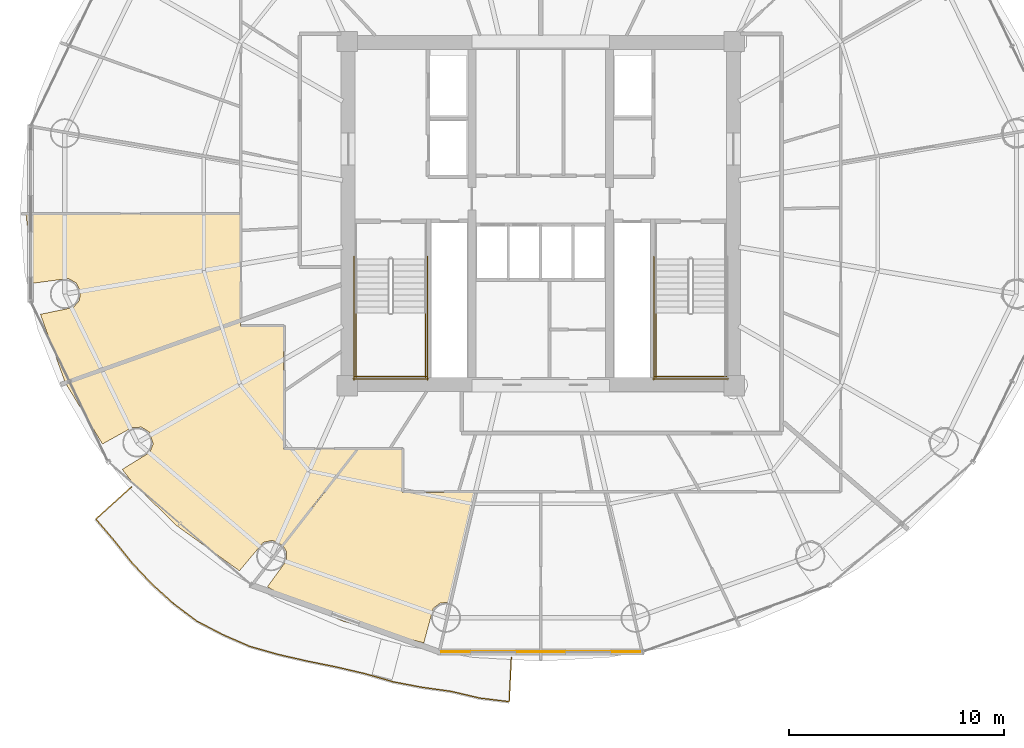
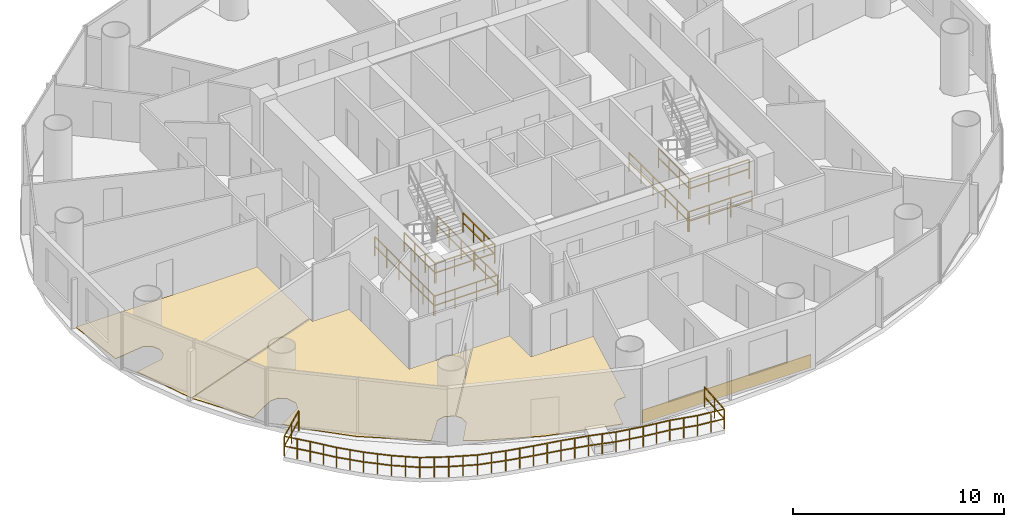
# One storey, part 25 of 27: 11 railings, 4 coverings.
"""IFC4 building model written with IfcOpenShell, lengths in metres."""

from ifc_helpers import new_model, si_unit, direction, frame, origin, origin_2d, place, context, subcontext, project, spatial, polyline, rectangle, outline, extrude, source, transform, mapped, material, layer, layer_set, type_object, element, save


model = new_model("IFC4")

# Units and contexts
model_context = context("Model", 3, precision=1e-05, world=origin(), true_north=direction((-0.2419218956, 0.970295726276)))
body_context = subcontext(model_context, "Body", "Model", "MODEL_VIEW")
ifc_project = project(units=[si_unit("LENGTHUNIT", "METRE"), si_unit("AREAUNIT", "SQUARE_METRE"), si_unit("VOLUMEUNIT", "CUBIC_METRE"), si_unit("PLANEANGLEUNIT", "RADIAN"), si_unit("MASSUNIT", "GRAM", prefix="KILO")], contexts=[model_context])

# Site, building, storey
site_placement = place(None, origin())
site = spatial("IfcSite", under=ifc_project, at=site_placement, CompositionType="ELEMENT")
building_placement = place(site_placement, origin())
building = spatial("IfcBuilding", under=site, at=building_placement, Name="Cobrevalo Terracotta Tower", CompositionType="ELEMENT")
storey_placement = place(building_placement, frame((0.0, 0.0, 153.39990234375)))
storey = spatial("IfcBuildingStorey", under=building, at=storey_placement, Name="L40", CompositionType="ELEMENT", Elevation=153.39990234375)

# Railing
ifc_material_1 = material(Name="Laminated structural glass and stainless steel", Category="steel")
railing_type_1 = type_object("IfcRailingType", Name="Balcony lobe structural glass & terracotta-cap balustrade 1180 mm", PredefinedType="BALUSTRADE", material=ifc_material_1)
railing_1_placement = place(storey_placement, frame((18.97314453125, 14.09228515625, 0.0)))
element("IfcRailing", 1, at=railing_1_placement, inside=storey, type_object=railing_type_1, Name="L40 spiralling balcony lobe balustrade 2", PredefinedType="BALUSTRADE", context=body_context, shape_type="SweptSolid", body=[
    extrude(rectangle(XDim=0.048095703125, YDim=0.048095703125, at=origin_2d()), frame((0.0, 0.0, 1.15576171875), z_axis=(-0.742051462517, -0.670342917451, 0.0), x_axis=(0.670342917451, -0.742051462517, 0.0)), (0.0, 0.0, 1.0), 2.2197265625),
    extrude(rectangle(XDim=0.048095703125, YDim=0.048095703125, at=origin_2d()), frame((0.0, 0.0, 0.58984375), z_axis=(-0.742051462517, -0.670342917451, 0.0), x_axis=(0.670342917451, -0.742051462517, 0.0)), (0.0, 0.0, 1.0), 2.2197265625),
    extrude(rectangle(XDim=0.048095703125, YDim=0.048095703125, at=origin_2d()), frame((-1.647216796875, -1.488037109375, 1.15576171875), z_axis=(0.647934817662, -0.761695787084, 0.0), x_axis=(0.761695787084, 0.647934817662, 0.0)), (0.0, 0.0, 1.0), 1.311279296875),
    extrude(rectangle(XDim=0.048095703125, YDim=0.048095703125, at=origin_2d()), frame((-1.647216796875, -1.488037109375, 0.58984375), z_axis=(0.647934817662, -0.761695787084, 0.0), x_axis=(0.761695787084, 0.647934817662, 0.0)), (0.0, 0.0, 1.0), 1.311279296875),
    extrude(rectangle(XDim=0.048095703125, YDim=0.048095703125, at=origin_2d()), frame((-0.797607421875, -2.48681640625, 1.15576171875), z_axis=(0.624851966453, -0.780743248463, 0.0), x_axis=(0.780743248463, 0.624851966453, 0.0)), (0.0, 0.0, 1.0), 1.328125),
    extrude(rectangle(XDim=0.048095703125, YDim=0.048095703125, at=origin_2d()), frame((-0.797607421875, -2.48681640625, 0.58984375), z_axis=(0.624851966453, -0.780743248463, 0.0), x_axis=(0.780743248463, 0.624851966453, 0.0)), (0.0, 0.0, 1.0), 1.328125),
    extrude(rectangle(XDim=0.048095703125, YDim=0.048095703125, at=origin_2d()), frame((0.0322265625, -3.523681640625, 1.15576171875), z_axis=(0.684315690191, -0.72918587216, 0.0), x_axis=(0.72918587216, 0.684315690191, 0.0)), (0.0, 0.0, 1.0), 1.343994140625),
    extrude(rectangle(XDim=0.048095703125, YDim=0.048095703125, at=origin_2d()), frame((0.0322265625, -3.523681640625, 0.58984375), z_axis=(0.684315690191, -0.72918587216, 0.0), x_axis=(0.72918587216, 0.684315690191, 0.0)), (0.0, 0.0, 1.0), 1.343994140625),
    extrude(rectangle(XDim=0.048095703125, YDim=0.048095703125, at=origin_2d()), frame((0.951904296875, -4.503662109375, 1.15576171875), z_axis=(0.741689331674, -0.670743568945, 0.0), x_axis=(0.670743568945, 0.741689331674, 0.0)), (0.0, 0.0, 1.0), 1.35595703125),
    extrude(rectangle(XDim=0.048095703125, YDim=0.048095703125, at=origin_2d()), frame((0.951904296875, -4.503662109375, 0.58984375), z_axis=(0.741689331674, -0.670743568945, 0.0), x_axis=(0.670743568945, 0.741689331674, 0.0)), (0.0, 0.0, 1.0), 1.35595703125),
    extrude(rectangle(XDim=0.048095703125, YDim=0.048095703125, at=origin_2d()), frame((1.95751953125, -5.4130859375, 1.15576171875), z_axis=(0.799027379931, -0.601294641686, 0.0), x_axis=(0.601294641686, 0.799027379931, 0.0)), (0.0, 0.0, 1.0), 1.35693359375),
    extrude(rectangle(XDim=0.048095703125, YDim=0.048095703125, at=origin_2d()), frame((1.95751953125, -5.4130859375, 0.58984375), z_axis=(0.799027379931, -0.601294641686, 0.0), x_axis=(0.601294641686, 0.799027379931, 0.0)), (0.0, 0.0, 1.0), 1.35693359375),
    extrude(rectangle(XDim=0.048095703125, YDim=0.048095703125, at=origin_2d()), frame((3.041748046875, -6.22900390625, 1.15576171875), z_axis=(0.886809501688, -0.46213516174, 0.0), x_axis=(0.46213516174, 0.886809501688, 0.0)), (0.0, 0.0, 1.0), 1.375244140625),
    extrude(rectangle(XDim=0.048095703125, YDim=0.048095703125, at=origin_2d()), frame((3.041748046875, -6.22900390625, 0.58984375), z_axis=(0.886809501688, -0.46213516174, 0.0), x_axis=(0.46213516174, 0.886809501688, 0.0)), (0.0, 0.0, 1.0), 1.375244140625),
    extrude(rectangle(XDim=0.048095703125, YDim=0.048095703125, at=origin_2d()), frame((4.26123046875, -6.864501953125, 1.15576171875), z_axis=(0.917663937046, -0.397357394099, 0.0), x_axis=(0.397357394099, 0.917663937046, 0.0)), (0.0, 0.0, 1.0), 1.3701171875),
    extrude(rectangle(XDim=0.048095703125, YDim=0.048095703125, at=origin_2d()), frame((4.26123046875, -6.864501953125, 0.58984375), z_axis=(0.917663937046, -0.397357394099, 0.0), x_axis=(0.397357394099, 0.917663937046, 0.0)), (0.0, 0.0, 1.0), 1.3701171875),
    extrude(rectangle(XDim=0.048095703125, YDim=0.048095703125, at=origin_2d()), frame((5.5185546875, -7.408935546875, 1.15576171875), z_axis=(0.962375413587, -0.271723321271, 0.0), x_axis=(0.271723321271, 0.962375413587, 0.0)), (0.0, 0.0, 1.0), 1.38818359375),
    extrude(rectangle(XDim=0.048095703125, YDim=0.048095703125, at=origin_2d()), frame((5.5185546875, -7.408935546875, 0.58984375), z_axis=(0.962375413587, -0.271723321271, 0.0), x_axis=(0.271723321271, 0.962375413587, 0.0)), (0.0, 0.0, 1.0), 1.38818359375),
    extrude(rectangle(XDim=0.048095703125, YDim=0.048095703125, at=origin_2d()), frame((6.8544921875, -7.7861328125, 1.15576171875), z_axis=(0.974979996548, -0.222292614208, 0.0), x_axis=(0.222292614208, 0.974979996548, 0.0)), (0.0, 0.0, 1.0), 1.3828125),
    extrude(rectangle(XDim=0.048095703125, YDim=0.048095703125, at=origin_2d()), frame((6.8544921875, -7.7861328125, 0.58984375), z_axis=(0.974979996548, -0.222292614208, 0.0), x_axis=(0.222292614208, 0.974979996548, 0.0)), (0.0, 0.0, 1.0), 1.3828125),
    extrude(rectangle(XDim=0.048095703125, YDim=0.048095703125, at=origin_2d()), frame((8.20263671875, -8.093505859375, 1.15576171875), z_axis=(0.980173513952, -0.19814106729, 0.0), x_axis=(0.19814106729, 0.980173513952, 0.0)), (0.0, 0.0, 1.0), 1.36767578125),
    extrude(rectangle(XDim=0.048095703125, YDim=0.048095703125, at=origin_2d()), frame((8.20263671875, -8.093505859375, 0.58984375), z_axis=(0.980173513952, -0.19814106729, 0.0), x_axis=(0.19814106729, 0.980173513952, 0.0)), (0.0, 0.0, 1.0), 1.36767578125),
    extrude(rectangle(XDim=0.048095703125, YDim=0.048095703125, at=origin_2d()), frame((9.543212890625, -8.364501953125, 1.15576171875), z_axis=(0.973684789971, -0.227898946418, 0.0), x_axis=(0.227898946418, 0.973684789971, 0.0)), (0.0, 0.0, 1.0), 1.360595703125),
    extrude(rectangle(XDim=0.048095703125, YDim=0.048095703125, at=origin_2d()), frame((9.543212890625, -8.364501953125, 0.58984375), z_axis=(0.973684789971, -0.227898946418, 0.0), x_axis=(0.227898946418, 0.973684789971, 0.0)), (0.0, 0.0, 1.0), 1.360595703125),
    extrude(rectangle(XDim=0.048095703125, YDim=0.048095703125, at=origin_2d()), frame((10.867919921875, -8.674560546875, 1.15576171875), z_axis=(0.960517358341, -0.278220064562, 0.0), x_axis=(0.278220064562, 0.960517358341, 0.0)), (0.0, 0.0, 1.0), 1.35400390625),
    extrude(rectangle(XDim=0.048095703125, YDim=0.048095703125, at=origin_2d()), frame((10.867919921875, -8.674560546875, 0.58984375), z_axis=(0.960517358341, -0.278220064562, 0.0), x_axis=(0.278220064562, 0.960517358341, 0.0)), (0.0, 0.0, 1.0), 1.35400390625),
    extrude(rectangle(XDim=0.048095703125, YDim=0.048095703125, at=origin_2d()), frame((12.16845703125, -9.05126953125, 1.15576171875), z_axis=(0.982332289889, -0.187145056687, 0.0), x_axis=(0.187145056687, 0.982332289889, 0.0)), (0.0, 0.0, 1.0), 1.362060546875),
    extrude(rectangle(XDim=0.048095703125, YDim=0.048095703125, at=origin_2d()), frame((12.16845703125, -9.05126953125, 0.58984375), z_axis=(0.982332289889, -0.187145056687, 0.0), x_axis=(0.187145056687, 0.982332289889, 0.0)), (0.0, 0.0, 1.0), 1.362060546875),
    extrude(rectangle(XDim=0.048095703125, YDim=0.048095703125, at=origin_2d()), frame((13.50634765625, -9.30615234375, 1.15576171875), z_axis=(0.990524776049, -0.137334147366, 0.0), x_axis=(0.137334147366, 0.990524776049, 0.0)), (0.0, 0.0, 1.0), 1.363525390625),
    extrude(rectangle(XDim=0.048095703125, YDim=0.048095703125, at=origin_2d()), frame((13.50634765625, -9.30615234375, 0.58984375), z_axis=(0.990524776049, -0.137334147366, 0.0), x_axis=(0.137334147366, 0.990524776049, 0.0)), (0.0, 0.0, 1.0), 1.363525390625),
    extrude(rectangle(XDim=0.048095703125, YDim=0.048095703125, at=origin_2d()), frame((14.85693359375, -9.493408203125, 1.15576171875), z_axis=(0.973463750621, -0.228841268626, 0.0), x_axis=(0.228841268626, 0.973463750621, 0.0)), (0.0, 0.0, 1.0), 1.3740234375),
    extrude(rectangle(XDim=0.048095703125, YDim=0.048095703125, at=origin_2d()), frame((14.85693359375, -9.493408203125, 0.58984375), z_axis=(0.973463750621, -0.228841268626, 0.0), x_axis=(0.228841268626, 0.973463750621, 0.0)), (0.0, 0.0, 1.0), 1.3740234375),
    extrude(rectangle(XDim=0.048095703125, YDim=0.048095703125, at=origin_2d()), frame((16.194580078125, -9.807861328125, 1.15576171875), z_axis=(0.992668196272, -0.120871221185, 0.0), x_axis=(0.120871221185, 0.992668196272, 0.0)), (0.0, 0.0, 1.0), 1.37744140625),
    extrude(rectangle(XDim=0.048095703125, YDim=0.048095703125, at=origin_2d()), frame((16.194580078125, -9.807861328125, 0.58984375), z_axis=(0.992668196272, -0.120871221185, 0.0), x_axis=(0.120871221185, 0.992668196272, 0.0)), (0.0, 0.0, 1.0), 1.37744140625),
    extrude(rectangle(XDim=0.048095703125, YDim=0.048095703125, at=origin_2d()), frame((17.56201171875, -9.974365234375, 1.15576171875), z_axis=(0.048910770343, 0.99880315205, 0.0), x_axis=(-0.99880315205, 0.048910770343, 0.0)), (0.0, 0.0, 1.0), 2.051513671875),
    extrude(rectangle(XDim=0.048095703125, YDim=0.048095703125, at=origin_2d()), frame((17.56201171875, -9.974365234375, 0.58984375), z_axis=(0.048910770343, 0.99880315205, 0.0), x_axis=(-0.99880315205, 0.048910770343, 0.0)), (0.0, 0.0, 1.0), 2.051513671875),
    extrude(rectangle(XDim=0.0419921875, YDim=0.0419921875, at=origin_2d()), origin(), (0.0, 0.0, 1.0), 1.1318359375),
    extrude(rectangle(XDim=0.0419921875, YDim=0.0419921875, at=origin_2d()), frame((-0.82373046875, -0.744140625, 0.0)), (0.0, 0.0, 1.0), 1.1318359375),
    extrude(rectangle(XDim=0.0419921875, YDim=0.0419921875, at=origin_2d()), frame((-1.647216796875, -1.488037109375, 0.0)), (0.0, 0.0, 1.0), 1.1318359375),
    extrude(rectangle(XDim=0.0419921875, YDim=0.0419921875, at=origin_2d()), frame((-1.222412109375, -1.9873046875, 0.0)), (0.0, 0.0, 1.0), 1.1318359375),
    extrude(rectangle(XDim=0.0419921875, YDim=0.0419921875, at=origin_2d()), frame((-0.797607421875, -2.48681640625, 0.0)), (0.0, 0.0, 1.0), 1.1318359375),
    extrude(rectangle(XDim=0.0419921875, YDim=0.0419921875, at=origin_2d()), frame((-0.3828125, -3.00537109375, 0.0)), (0.0, 0.0, 1.0), 1.1318359375),
    extrude(rectangle(XDim=0.0419921875, YDim=0.0419921875, at=origin_2d()), frame((0.0322265625, -3.523681640625, 0.0)), (0.0, 0.0, 1.0), 1.1318359375),
    extrude(rectangle(XDim=0.0419921875, YDim=0.0419921875, at=origin_2d()), frame((0.4921875, -4.013671875, 0.0)), (0.0, 0.0, 1.0), 1.1318359375),
    extrude(rectangle(XDim=0.0419921875, YDim=0.0419921875, at=origin_2d()), frame((0.951904296875, -4.503662109375, 0.0)), (0.0, 0.0, 1.0), 1.1318359375),
    extrude(rectangle(XDim=0.0419921875, YDim=0.0419921875, at=origin_2d()), frame((1.45458984375, -4.95849609375, 0.0)), (0.0, 0.0, 1.0), 1.1318359375),
    extrude(rectangle(XDim=0.0419921875, YDim=0.0419921875, at=origin_2d()), frame((1.95751953125, -5.4130859375, 0.0)), (0.0, 0.0, 1.0), 1.1318359375),
    extrude(rectangle(XDim=0.0419921875, YDim=0.0419921875, at=origin_2d()), frame((2.49951171875, -5.821044921875, 0.0)), (0.0, 0.0, 1.0), 1.1318359375),
    extrude(rectangle(XDim=0.0419921875, YDim=0.0419921875, at=origin_2d()), frame((3.041748046875, -6.22900390625, 0.0)), (0.0, 0.0, 1.0), 1.1318359375),
    extrude(rectangle(XDim=0.0419921875, YDim=0.0419921875, at=origin_2d()), frame((3.6513671875, -6.546875, 0.0)), (0.0, 0.0, 1.0), 1.1318359375),
    extrude(rectangle(XDim=0.0419921875, YDim=0.0419921875, at=origin_2d()), frame((4.26123046875, -6.864501953125, 0.0)), (0.0, 0.0, 1.0), 1.1318359375),
    extrude(rectangle(XDim=0.0419921875, YDim=0.0419921875, at=origin_2d()), frame((4.889892578125, -7.13671875, 0.0)), (0.0, 0.0, 1.0), 1.1318359375),
    extrude(rectangle(XDim=0.0419921875, YDim=0.0419921875, at=origin_2d()), frame((5.5185546875, -7.408935546875, 0.0)), (0.0, 0.0, 1.0), 1.1318359375),
    extrude(rectangle(XDim=0.0419921875, YDim=0.0419921875, at=origin_2d()), frame((6.1865234375, -7.59765625, 0.0)), (0.0, 0.0, 1.0), 1.1318359375),
    extrude(rectangle(XDim=0.0419921875, YDim=0.0419921875, at=origin_2d()), frame((6.8544921875, -7.7861328125, 0.0)), (0.0, 0.0, 1.0), 1.1318359375),
    extrude(rectangle(XDim=0.0419921875, YDim=0.0419921875, at=origin_2d()), frame((7.528564453125, -7.93994140625, 0.0)), (0.0, 0.0, 1.0), 1.1318359375),
    extrude(rectangle(XDim=0.0419921875, YDim=0.0419921875, at=origin_2d()), frame((8.20263671875, -8.093505859375, 0.0)), (0.0, 0.0, 1.0), 1.1318359375),
    extrude(rectangle(XDim=0.0419921875, YDim=0.0419921875, at=origin_2d()), frame((8.873046875, -8.22900390625, 0.0)), (0.0, 0.0, 1.0), 1.1318359375),
    extrude(rectangle(XDim=0.0419921875, YDim=0.0419921875, at=origin_2d()), frame((9.543212890625, -8.364501953125, 0.0)), (0.0, 0.0, 1.0), 1.1318359375),
    extrude(rectangle(XDim=0.0419921875, YDim=0.0419921875, at=origin_2d()), frame((10.20556640625, -8.51953125, 0.0)), (0.0, 0.0, 1.0), 1.1318359375),
    extrude(rectangle(XDim=0.0419921875, YDim=0.0419921875, at=origin_2d()), frame((10.867919921875, -8.674560546875, 0.0)), (0.0, 0.0, 1.0), 1.1318359375),
    extrude(rectangle(XDim=0.0419921875, YDim=0.0419921875, at=origin_2d()), frame((11.51806640625, -8.86279296875, 0.0)), (0.0, 0.0, 1.0), 1.1318359375),
    extrude(rectangle(XDim=0.0419921875, YDim=0.0419921875, at=origin_2d()), frame((12.16845703125, -9.05126953125, 0.0)), (0.0, 0.0, 1.0), 1.1318359375),
    extrude(rectangle(XDim=0.0419921875, YDim=0.0419921875, at=origin_2d()), frame((12.83740234375, -9.1787109375, 0.0)), (0.0, 0.0, 1.0), 1.1318359375),
    extrude(rectangle(XDim=0.0419921875, YDim=0.0419921875, at=origin_2d()), frame((13.50634765625, -9.30615234375, 0.0)), (0.0, 0.0, 1.0), 1.1318359375),
    extrude(rectangle(XDim=0.0419921875, YDim=0.0419921875, at=origin_2d()), frame((14.181640625, -9.39990234375, 0.0)), (0.0, 0.0, 1.0), 1.1318359375),
    extrude(rectangle(XDim=0.0419921875, YDim=0.0419921875, at=origin_2d()), frame((14.85693359375, -9.493408203125, 0.0)), (0.0, 0.0, 1.0), 1.1318359375),
    extrude(rectangle(XDim=0.0419921875, YDim=0.0419921875, at=origin_2d()), frame((15.52587890625, -9.650634765625, 0.0)), (0.0, 0.0, 1.0), 1.1318359375),
    extrude(rectangle(XDim=0.0419921875, YDim=0.0419921875, at=origin_2d()), frame((16.194580078125, -9.807861328125, 0.0)), (0.0, 0.0, 1.0), 1.1318359375),
    extrude(rectangle(XDim=0.0419921875, YDim=0.0419921875, at=origin_2d()), frame((16.87841796875, -9.89111328125, 0.0)), (0.0, 0.0, 1.0), 1.1318359375),
    extrude(rectangle(XDim=0.0419921875, YDim=0.0419921875, at=origin_2d()), frame((17.56201171875, -9.974365234375, 0.0)), (0.0, 0.0, 1.0), 1.1318359375),
    extrude(rectangle(XDim=0.0419921875, YDim=0.0419921875, at=origin_2d()), frame((17.6123046875, -8.94970703125, 0.0)), (0.0, 0.0, 1.0), 1.1318359375),
    extrude(rectangle(XDim=0.0419921875, YDim=0.0419921875, at=origin_2d()), frame((17.662353515625, -7.92529296875, 0.0)), (0.0, 0.0, 1.0), 1.1318359375),
])

# Coverings
ifc_material_2 = material(Name="Engineered Brazilian hardwood flooring", Category="wood")
ifc_layer_1 = layer(ifc_material_2, 0.028076171875)
ifc_layer_set_1 = layer_set([ifc_layer_1], Name="Engineered Brazilian hardwood flooring")
covering_type_1 = type_object("IfcCoveringType", Name="Engineered Hardwood Suite Flooring 28", PredefinedType="FLOORING", material=ifc_layer_set_1)
covering_1_placement = place(storey_placement, origin())
element("IfcCovering", 2, at=covering_1_placement, inside=storey, type_object=covering_type_1, Name="Flat L40A Penthouse Family Lounge floor finish", PredefinedType="FLOORING", context=body_context, shape_type="SweptSolid", body=[
    extrude(outline(polyline([(14.08154296875, 26.780029296875), (24.044921875, 26.780029296875), (24.044921875, 21.85302734375), (15.898681640625, 18.95263671875), (14.748291015625, 22.121826171875), (16.2763671875, 22.43701171875), (16.55859375, 22.760986328125), (16.613037109375, 23.187255859375), (16.421630859375, 23.572021484375), (16.048583984375, 23.785400390625), (14.41357421875, 23.566162109375), (14.08154296875, 26.780029296875)])), origin(), (0.0, 0.0, 1.0), 0.030029296875),
])
covering_2_placement = place(storey_placement, origin())
element("IfcCovering", 3, at=covering_2_placement, inside=storey, type_object=covering_type_1, Name="Flat L40B Living and Dining Room floor finish", PredefinedType="FLOORING", context=body_context, shape_type="SweptSolid", body=[
    extrude(outline(polyline([(21.0849609375, 12.291259765625), (19.02197265625, 14.309326171875), (18.551513671875, 14.91357421875), (19.834228515625, 15.705810546875), (19.988525390625, 16.10693359375), (19.810302734375, 16.64453125), (19.447265625, 16.874267578125), (19.017822265625, 16.863525390625), (17.632568359375, 16.09375), (15.918212890625, 18.917236328125), (24.044921875, 21.810546875), (24.044921875, 21.570068359375), (26.054931640625, 21.570068359375), (26.054931640625, 15.85498046875), (29.466064453125, 15.85498046875), (25.997802734375, 11.3935546875), (25.529296875, 11.615234375), (25.109619140625, 11.522705078125), (23.99755859375, 10.2001953125), (21.0849609375, 12.291259765625)])), origin(), (0.0, 0.0, 1.0), 0.030029296875),
])
covering_3_placement = place(storey_placement, origin())
element("IfcCovering", 4, at=covering_3_placement, inside=storey, type_object=covering_type_1, Name="Flat L40B Master Bedroom floor finish", PredefinedType="FLOORING", context=body_context, shape_type="SweptSolid", body=[
    extrude(outline(polyline([(28.84521484375, 7.84228515625), (26.038818359375, 9.02978515625), (25.295166015625, 9.4560546875), (26.184326171875, 10.67724609375), (26.175537109375, 11.106689453125), (26.02490234375, 11.363525390625), (29.5166015625, 15.85498046875), (31.570068359375, 15.85498046875), (31.570068359375, 13.844970703125), (34.9814453125, 13.844970703125), (33.796630859375, 8.72607421875), (33.3408203125, 8.7109375), (32.99951171875, 8.44970703125), (32.567138671875, 6.849853515625), (28.84521484375, 7.84228515625)])), origin(), (0.0, 0.0, 1.0), 0.030029296875),
])

# Railings
ifc_material_3 = material(Name="Painted galvanized steel", Category="steel")
railing_type_2 = type_object("IfcRailingType", Name="Stair Well Guard Balustrade 1150", PredefinedType="GUARDRAIL", material=ifc_material_3)
for number, where, name in (
    (5, (29.425048828125, 22.179931640625, 1.800048828125), "L40 ST-1 stair guard 3"),
    (6, (32.64501953125, 22.179931640625, 1.800048828125), "L40 ST-1 stair guard 4"),
):
    element("IfcRailing", number, at=place(storey_placement, frame(where)), inside=storey, type_object=railing_type_2, Name=name, PredefinedType="GUARDRAIL", context=body_context, shape_type="SweptSolid", body=[
        extrude(rectangle(XDim=0.048095703125, YDim=0.048095703125, at=origin_2d()), frame((0.0, 0.0, 1.1259765625), z_axis=(0.0, -1.0, 0.0), x_axis=(1.0, 0.0, 0.0)), (0.0, 0.0, 1.0), 3.0048828125),
        extrude(rectangle(XDim=0.048095703125, YDim=0.048095703125, at=origin_2d()), frame((0.0, 0.0, 0.574951171875), z_axis=(0.0, -1.0, 0.0), x_axis=(1.0, 0.0, 0.0)), (0.0, 0.0, 1.0), 3.0048828125),
        extrude(rectangle(XDim=0.0419921875, YDim=0.0419921875, at=origin_2d()), origin(), (0.0, 0.0, 1.0), 1.101806640625),
        extrude(rectangle(XDim=0.0419921875, YDim=0.0419921875, at=origin_2d()), frame((0.0, -1.001708984375, 0.0)), (0.0, 0.0, 1.0), 1.101806640625),
        extrude(rectangle(XDim=0.0419921875, YDim=0.0419921875, at=origin_2d()), frame((0.0, -2.003173828125, 0.0)), (0.0, 0.0, 1.0), 1.101806640625),
        extrude(rectangle(XDim=0.0419921875, YDim=0.0419921875, at=origin_2d()), frame((0.0, -3.0048828125, 0.0)), (0.0, 0.0, 1.0), 1.101806640625),
    ])
railing_2_placement = place(storey_placement, frame((29.375, 19.22509765625, 1.800048828125)))
element("IfcRailing", 7, at=railing_2_placement, inside=storey, type_object=railing_type_2, Name="L40 ST-1 stair guard 5", PredefinedType="GUARDRAIL", context=body_context, shape_type="SweptSolid", body=[
    extrude(rectangle(XDim=0.048095703125, YDim=0.048095703125, at=origin_2d()), frame((0.0, 0.0, 1.1259765625), z_axis=(1.0, 0.0, 0.0), x_axis=(0.0, 1.0, 0.0)), (0.0, 0.0, 1.0), 3.320068359375),
    extrude(rectangle(XDim=0.048095703125, YDim=0.048095703125, at=origin_2d()), frame((0.0, 0.0, 0.574951171875), z_axis=(1.0, 0.0, 0.0), x_axis=(0.0, 1.0, 0.0)), (0.0, 0.0, 1.0), 3.320068359375),
    extrude(rectangle(XDim=0.0419921875, YDim=0.0419921875, at=origin_2d()), origin(), (0.0, 0.0, 1.0), 1.101806640625),
    extrude(rectangle(XDim=0.0419921875, YDim=0.0419921875, at=origin_2d()), frame((1.106689453125, 0.0, 0.0)), (0.0, 0.0, 1.0), 1.101806640625),
    extrude(rectangle(XDim=0.0419921875, YDim=0.0419921875, at=origin_2d()), frame((2.21337890625, 0.0, 0.0)), (0.0, 0.0, 1.0), 1.101806640625),
    extrude(rectangle(XDim=0.0419921875, YDim=0.0419921875, at=origin_2d()), frame((3.320068359375, 0.0, 0.0)), (0.0, 0.0, 1.0), 1.101806640625),
])
for number, where, name in (
    (8, (29.324951171875, 24.800048828125, 0.0), "L40 ST-1 stair guard 10"),
    (9, (32.7451171875, 24.800048828125, 0.0), "L40 ST-1 stair guard 11"),
):
    element("IfcRailing", number, at=place(storey_placement, frame(where)), inside=storey, type_object=railing_type_2, Name=name, PredefinedType="GUARDRAIL", context=body_context, shape_type="SweptSolid", body=[
        extrude(rectangle(XDim=0.048095703125, YDim=0.048095703125, at=origin_2d()), frame((0.0, 0.0, 1.1259765625), z_axis=(0.0, -1.0, 0.0), x_axis=(1.0, 0.0, 0.0)), (0.0, 0.0, 1.0), 5.72509765625),
        extrude(rectangle(XDim=0.048095703125, YDim=0.048095703125, at=origin_2d()), frame((0.0, 0.0, 0.574951171875), z_axis=(0.0, -1.0, 0.0), x_axis=(1.0, 0.0, 0.0)), (0.0, 0.0, 1.0), 5.72509765625),
        extrude(rectangle(XDim=0.0419921875, YDim=0.0419921875, at=origin_2d()), origin(), (0.0, 0.0, 1.0), 1.101806640625),
        extrude(rectangle(XDim=0.0419921875, YDim=0.0419921875, at=origin_2d()), frame((0.0, -1.14501953125, 0.0)), (0.0, 0.0, 1.0), 1.101806640625),
        extrude(rectangle(XDim=0.0419921875, YDim=0.0419921875, at=origin_2d()), frame((0.0, -2.2900390625, 0.0)), (0.0, 0.0, 1.0), 1.101806640625),
        extrude(rectangle(XDim=0.0419921875, YDim=0.0419921875, at=origin_2d()), frame((0.0, -3.43505859375, 0.0)), (0.0, 0.0, 1.0), 1.101806640625),
        extrude(rectangle(XDim=0.0419921875, YDim=0.0419921875, at=origin_2d()), frame((0.0, -4.580078125, 0.0)), (0.0, 0.0, 1.0), 1.101806640625),
        extrude(rectangle(XDim=0.0419921875, YDim=0.0419921875, at=origin_2d()), frame((0.0, -5.72509765625, 0.0)), (0.0, 0.0, 1.0), 1.101806640625),
    ])
railing_3_placement = place(storey_placement, frame((29.27490234375, 19.125, 0.0)))
element("IfcRailing", 10, at=railing_3_placement, inside=storey, type_object=railing_type_2, Name="L40 ST-1 stair guard 12", PredefinedType="GUARDRAIL", context=body_context, shape_type="SweptSolid", body=[
    extrude(rectangle(XDim=0.048095703125, YDim=0.048095703125, at=origin_2d()), frame((0.0, 0.0, 1.1259765625), z_axis=(1.0, 0.0, 0.0), x_axis=(0.0, 1.0, 0.0)), (0.0, 0.0, 1.0), 3.52001953125),
    extrude(rectangle(XDim=0.048095703125, YDim=0.048095703125, at=origin_2d()), frame((0.0, 0.0, 0.574951171875), z_axis=(1.0, 0.0, 0.0), x_axis=(0.0, 1.0, 0.0)), (0.0, 0.0, 1.0), 3.52001953125),
    extrude(rectangle(XDim=0.0419921875, YDim=0.0419921875, at=origin_2d()), origin(), (0.0, 0.0, 1.0), 1.101806640625),
    extrude(rectangle(XDim=0.0419921875, YDim=0.0419921875, at=origin_2d()), frame((1.17333984375, 0.0, 0.0)), (0.0, 0.0, 1.0), 1.101806640625),
    extrude(rectangle(XDim=0.0419921875, YDim=0.0419921875, at=origin_2d()), frame((2.3466796875, 0.0, 0.0)), (0.0, 0.0, 1.0), 1.101806640625),
    extrude(rectangle(XDim=0.0419921875, YDim=0.0419921875, at=origin_2d()), frame((3.52001953125, 0.0, 0.0)), (0.0, 0.0, 1.0), 1.101806640625),
])
railing_4_placement = place(storey_placement, frame((43.35498046875, 22.179931640625, 1.800048828125)))
element("IfcRailing", 11, at=railing_4_placement, inside=storey, type_object=railing_type_2, Name="L40 ST-2 stair guard 3", PredefinedType="GUARDRAIL", context=body_context, shape_type="SweptSolid", body=[
    extrude(rectangle(XDim=0.048095703125, YDim=0.048095703125, at=origin_2d()), frame((0.0, 0.0, 1.1259765625), z_axis=(0.0, -1.0, 0.0), x_axis=(1.0, 0.0, 0.0)), (0.0, 0.0, 1.0), 3.0048828125),
    extrude(rectangle(XDim=0.048095703125, YDim=0.048095703125, at=origin_2d()), frame((0.0, 0.0, 0.574951171875), z_axis=(0.0, -1.0, 0.0), x_axis=(1.0, 0.0, 0.0)), (0.0, 0.0, 1.0), 3.0048828125),
    extrude(rectangle(XDim=0.0419921875, YDim=0.0419921875, at=origin_2d()), origin(), (0.0, 0.0, 1.0), 1.101806640625),
    extrude(rectangle(XDim=0.0419921875, YDim=0.0419921875, at=origin_2d()), frame((0.0, -1.001708984375, 0.0)), (0.0, 0.0, 1.0), 1.101806640625),
    extrude(rectangle(XDim=0.0419921875, YDim=0.0419921875, at=origin_2d()), frame((0.0, -2.003173828125, 0.0)), (0.0, 0.0, 1.0), 1.101806640625),
    extrude(rectangle(XDim=0.0419921875, YDim=0.0419921875, at=origin_2d()), frame((0.0, -3.0048828125, 0.0)), (0.0, 0.0, 1.0), 1.101806640625),
])
railing_5_placement = place(storey_placement, frame((43.304931640625, 19.22509765625, 1.800048828125)))
element("IfcRailing", 12, at=railing_5_placement, inside=storey, type_object=railing_type_2, Name="L40 ST-2 stair guard 5", PredefinedType="GUARDRAIL", context=body_context, shape_type="SweptSolid", body=[
    extrude(rectangle(XDim=0.048095703125, YDim=0.048095703125, at=origin_2d()), frame((0.0, 0.0, 1.1259765625), z_axis=(1.0, 0.0, 0.0), x_axis=(0.0, 1.0, 0.0)), (0.0, 0.0, 1.0), 3.320068359375),
    extrude(rectangle(XDim=0.048095703125, YDim=0.048095703125, at=origin_2d()), frame((0.0, 0.0, 0.574951171875), z_axis=(1.0, 0.0, 0.0), x_axis=(0.0, 1.0, 0.0)), (0.0, 0.0, 1.0), 3.320068359375),
    extrude(rectangle(XDim=0.0419921875, YDim=0.0419921875, at=origin_2d()), origin(), (0.0, 0.0, 1.0), 1.101806640625),
    extrude(rectangle(XDim=0.0419921875, YDim=0.0419921875, at=origin_2d()), frame((1.106689453125, 0.0, 0.0)), (0.0, 0.0, 1.0), 1.101806640625),
    extrude(rectangle(XDim=0.0419921875, YDim=0.0419921875, at=origin_2d()), frame((2.21337890625, 0.0, 0.0)), (0.0, 0.0, 1.0), 1.101806640625),
    extrude(rectangle(XDim=0.0419921875, YDim=0.0419921875, at=origin_2d()), frame((3.320068359375, 0.0, 0.0)), (0.0, 0.0, 1.0), 1.101806640625),
])
railing_6_placement = place(storey_placement, frame((43.2548828125, 24.800048828125, 0.0)))
element("IfcRailing", 13, at=railing_6_placement, inside=storey, type_object=railing_type_2, Name="L40 ST-2 stair guard 10", PredefinedType="GUARDRAIL", context=body_context, shape_type="SweptSolid", body=[
    extrude(rectangle(XDim=0.048095703125, YDim=0.048095703125, at=origin_2d()), frame((0.0, 0.0, 1.1259765625), z_axis=(0.0, -1.0, 0.0), x_axis=(1.0, 0.0, 0.0)), (0.0, 0.0, 1.0), 5.72509765625),
    extrude(rectangle(XDim=0.048095703125, YDim=0.048095703125, at=origin_2d()), frame((0.0, 0.0, 0.574951171875), z_axis=(0.0, -1.0, 0.0), x_axis=(1.0, 0.0, 0.0)), (0.0, 0.0, 1.0), 5.72509765625),
    extrude(rectangle(XDim=0.0419921875, YDim=0.0419921875, at=origin_2d()), origin(), (0.0, 0.0, 1.0), 1.101806640625),
    extrude(rectangle(XDim=0.0419921875, YDim=0.0419921875, at=origin_2d()), frame((0.0, -1.14501953125, 0.0)), (0.0, 0.0, 1.0), 1.101806640625),
    extrude(rectangle(XDim=0.0419921875, YDim=0.0419921875, at=origin_2d()), frame((0.0, -2.2900390625, 0.0)), (0.0, 0.0, 1.0), 1.101806640625),
    extrude(rectangle(XDim=0.0419921875, YDim=0.0419921875, at=origin_2d()), frame((0.0, -3.43505859375, 0.0)), (0.0, 0.0, 1.0), 1.101806640625),
    extrude(rectangle(XDim=0.0419921875, YDim=0.0419921875, at=origin_2d()), frame((0.0, -4.580078125, 0.0)), (0.0, 0.0, 1.0), 1.101806640625),
    extrude(rectangle(XDim=0.0419921875, YDim=0.0419921875, at=origin_2d()), frame((0.0, -5.72509765625, 0.0)), (0.0, 0.0, 1.0), 1.101806640625),
])
railing_7_placement = place(storey_placement, frame((43.205078125, 19.125, 0.0)))
element("IfcRailing", 14, at=railing_7_placement, inside=storey, type_object=railing_type_2, Name="L40 ST-2 stair guard 12", PredefinedType="GUARDRAIL", context=body_context, shape_type="SweptSolid", body=[
    extrude(rectangle(XDim=0.048095703125, YDim=0.048095703125, at=origin_2d()), frame((0.0, 0.0, 1.1259765625), z_axis=(1.0, 0.0, 0.0), x_axis=(0.0, 1.0, 0.0)), (0.0, 0.0, 1.0), 3.52001953125),
    extrude(rectangle(XDim=0.048095703125, YDim=0.048095703125, at=origin_2d()), frame((0.0, 0.0, 0.574951171875), z_axis=(1.0, 0.0, 0.0), x_axis=(0.0, 1.0, 0.0)), (0.0, 0.0, 1.0), 3.52001953125),
    extrude(rectangle(XDim=0.0419921875, YDim=0.0419921875, at=origin_2d()), origin(), (0.0, 0.0, 1.0), 1.101806640625),
    extrude(rectangle(XDim=0.0419921875, YDim=0.0419921875, at=origin_2d()), frame((1.17333984375, 0.0, 0.0)), (0.0, 0.0, 1.0), 1.101806640625),
    extrude(rectangle(XDim=0.0419921875, YDim=0.0419921875, at=origin_2d()), frame((2.3466796875, 0.0, 0.0)), (0.0, 0.0, 1.0), 1.101806640625),
    extrude(rectangle(XDim=0.0419921875, YDim=0.0419921875, at=origin_2d()), frame((3.52001953125, 0.0, 0.0)), (0.0, 0.0, 1.0), 1.101806640625),
])

# Covering
ifc_material_4 = material(Name="Glazed terracotta facade cladding tile", Category="masonry")
ifc_layer_2 = layer(ifc_material_4, 0.044921875)
ifc_layer_set_2 = layer_set([ifc_layer_2], Name="Glazed terracotta facade cladding tile")
covering_type_2 = type_object("IfcCoveringType", Name="Architectural terracotta rainscreen spandrel cladding 45 mm", PredefinedType="CLADDING", material=ifc_layer_set_2)
shared_shape = source(origin(), body_context, "Body", "SweptSolid", [
    extrude(rectangle(XDim=9.230712890625, YDim=0.044921875, at=origin_2d()), origin(), (0.0, 0.0, 1.0), 0.760009765625),
])
covering_4_placement = place(storey_placement, frame((38.0, 6.42919921875, 0.0400390625), z_axis=(0.0, 0.0, 1.0), x_axis=(1.0, 0.0, 0.0)))
element("IfcCovering", 15, at=covering_4_placement, inside=storey, type_object=covering_type_2, Name="L40 terracotta spandrel cladding S12", PredefinedType="CLADDING", context=body_context, shape_type="MappedRepresentation", body=[
    mapped(shared_shape, transform((0.0, 0.0, 0.0), scale=1.0)),
])

save(model, "model.ifc")
